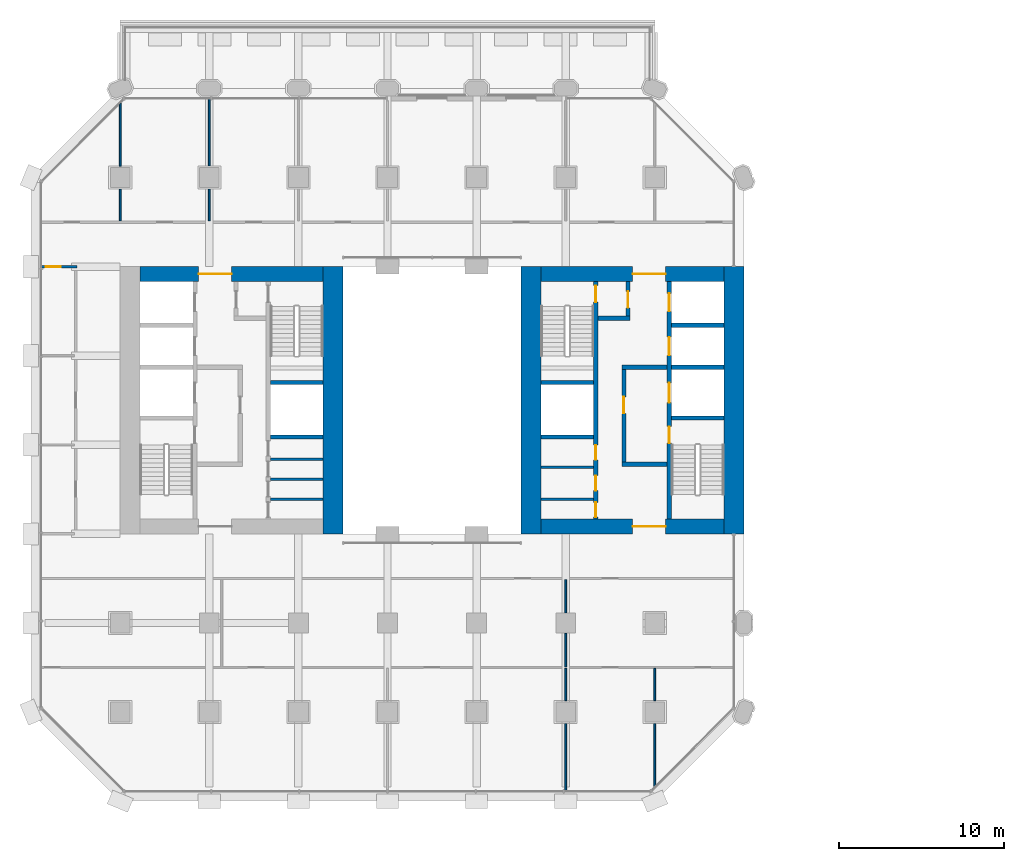
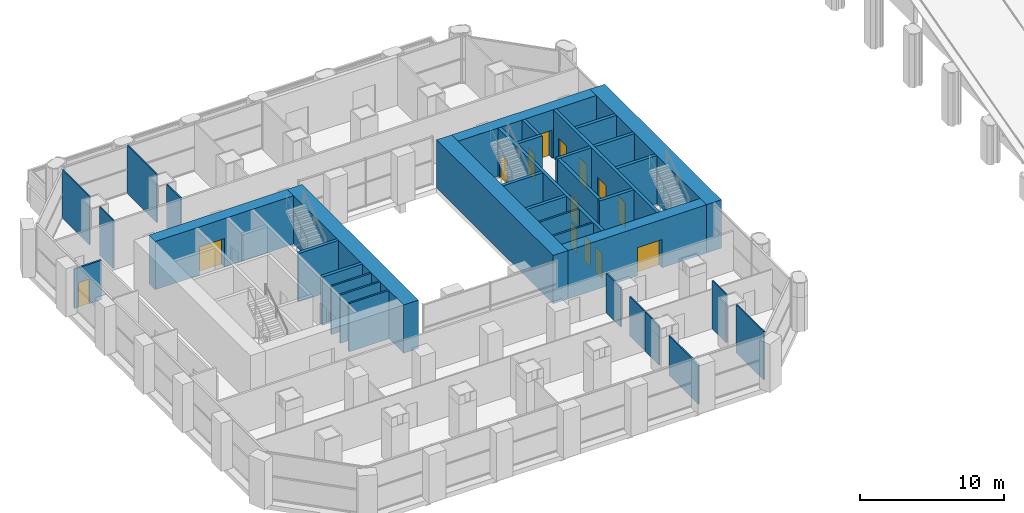
# One storey, part 14 of 23: 36 walls, 14 doors, 14 openings.
"""IFC4 building model written with IfcOpenShell, lengths in metres."""

import ifcopenshell
import ifcopenshell.guid

model = None  # the IFC model being written
_history = None  # IfcOwnerHistory: only IFC2X3 demands one
_inside = {}  # id of a spatial element -> (the spatial element, [elements in it])
_under = {}  # id of a project, library or spatial element -> (it, [spatial elements below it])
_declared = {}  # id of a project -> (the project, [libraries it declares])
_typed = {}  # id of a type object -> (the type object, [elements of that type])
_made_of = {}  # id of a material, layer set ... -> (it, [elements and type objects made of it])


def new_model(schema):
    """Start an empty IFC model of exactly this schema.

    Asked for "IFC4X3", IfcOpenShell would pick the latest addendum, in which some entities
    have other attributes; the version numbers below select the first issue.
    IFC2X3 requires an IfcOwnerHistory on every rooted entity: one is made here for all.
    """
    global model, _history
    if schema == "IFC4X3":
        model = ifcopenshell.file(schema_version=(4, 3, 0, 0))
    else:
        model = ifcopenshell.file(schema=schema)
    _inside.clear()
    _under.clear()
    _declared.clear()
    _typed.clear()
    _made_of.clear()
    _history = None
    if model.schema == "IFC2X3":
        org = make("IfcOrganization", Name="unknown")
        user = make(
            "IfcPersonAndOrganization",
            ThePerson=make("IfcPerson", FamilyName="unknown"),
            TheOrganization=org,
        )
        app = make(
            "IfcApplication",
            ApplicationDeveloper=org,
            Version="unknown",
            ApplicationFullName="unknown",
            ApplicationIdentifier="unknown",
        )
        _history = make(
            "IfcOwnerHistory",
            OwningUser=user,
            OwningApplication=app,
            ChangeAction="ADDED",
            CreationDate=0,
        )
    return model


def make(cls, **values):
    """One entity of the class cls with the attributes given. An attribute that is None is left unset."""
    return model.create_entity(
        cls, **{name: value for name, value in values.items() if value is not None}
    )


def rooted(cls, **values):
    """An entity with a GlobalId (a new one), such as an element, a storey or a relation."""
    return make(cls, GlobalId=ifcopenshell.guid.new(), OwnerHistory=_history, **values)


def si_unit(unit_type, name, prefix=None):
    """IfcSIUnit, for example si_unit("LENGTHUNIT", "METRE", prefix="MILLI")."""
    return make("IfcSIUnit", UnitType=unit_type, Prefix=prefix, Name=name)


def assignment(units):
    """IfcUnitAssignment: the units of a project."""
    return None if units is None else make("IfcUnitAssignment", Units=units)


def point(xyz):
    """IfcCartesianPoint."""
    return None if xyz is None else make("IfcCartesianPoint", Coordinates=xyz)


def direction(xyz):
    """IfcDirection."""
    return None if xyz is None else make("IfcDirection", DirectionRatios=xyz)


def frame(location, z_axis=None, x_axis=None):
    """IfcAxis2Placement3D, a coordinate frame: its origin and axes. An axis left out is left unset."""
    return make(
        "IfcAxis2Placement3D",
        Location=point(location),
        Axis=direction(z_axis),
        RefDirection=direction(x_axis),
    )


def frame_2d(location, x_axis=None):
    """IfcAxis2Placement2D, a coordinate frame in the plane: its origin and x axis."""
    return make(
        "IfcAxis2Placement2D", Location=point(location), RefDirection=direction(x_axis)
    )


def origin():
    """The frame at (0, 0, 0) with its axes left unset."""
    return frame((0.0, 0.0, 0.0))


def place(relative_to, where):
    """IfcLocalPlacement: puts the frame where relative to a parent placement (None: the world)."""
    return make(
        "IfcLocalPlacement", PlacementRelTo=relative_to, RelativePlacement=where
    )


def context(
    kind, dimensions, precision=None, world=None, true_north=None, identifier=None
):
    """IfcGeometricRepresentationContext, for example the 3D "Model" context."""
    return make(
        "IfcGeometricRepresentationContext",
        ContextIdentifier=identifier,
        ContextType=kind,
        CoordinateSpaceDimension=dimensions,
        Precision=precision,
        WorldCoordinateSystem=world,
        TrueNorth=true_north,
    )


def subcontext(parent, identifier, kind, view, scale=None):
    """IfcGeometricRepresentationSubContext, for example "Body" below "Model"."""
    return make(
        "IfcGeometricRepresentationSubContext",
        ContextIdentifier=identifier,
        ContextType=kind,
        ParentContext=parent,
        TargetScale=scale,
        TargetView=view,
    )


def project(units=None, contexts=None):
    """IfcProject with its units and contexts."""
    return rooted(
        "IfcProject",
        Name="project",
        RepresentationContexts=contexts,
        UnitsInContext=assignment(units),
    )


def spatial(cls, under=None, at=None, **own):
    """A site, building, storey or space (cls), placed at a placement, below another one or the project."""
    s = rooted(cls, ObjectPlacement=at, **own)
    if under is not None:
        _under.setdefault(under.id(), (under, []))[1].append(s)
    return s


def profile(cls, at=None, kind="AREA", **sizes):
    """A parametric profile (cls). Its sizes go by their IFC names, for example OverallWidth=200.0."""
    return make(cls, ProfileType=kind, Position=at, **sizes)


def rectangle(**sizes):
    """IfcRectangleProfileDef."""
    return profile("IfcRectangleProfileDef", **sizes)


def extrude(swept, where, along, depth):
    """IfcExtrudedAreaSolid: the profile swept, set in the frame where, extruded along a direction by depth."""
    return make(
        "IfcExtrudedAreaSolid",
        SweptArea=swept,
        Position=where,
        ExtrudedDirection=direction(along),
        Depth=depth,
    )


def shape(context_of_items, identifier, shape_type, items):
    """IfcShapeRepresentation: the items that make up one representation, for example the "Body"."""
    return make(
        "IfcShapeRepresentation",
        ContextOfItems=context_of_items,
        RepresentationIdentifier=identifier,
        RepresentationType=shape_type,
        Items=items,
    )


def material(Name=None, Category=None):
    """IfcMaterial."""
    return make("IfcMaterial", Name=Name, Category=Category)


def layer(
    of_material, thickness, ventilated=None, Name=None, Category=None, Priority=None
):
    """IfcMaterialLayer: one layer of a wall or slab, of a material (None: an air gap)."""
    return make(
        "IfcMaterialLayer",
        Material=of_material,
        LayerThickness=thickness,
        IsVentilated=ventilated,
        Name=Name,
        Category=Category,
        Priority=Priority,
    )


def layer_set(layers, Name=None):
    """IfcMaterialLayerSet."""
    return make("IfcMaterialLayerSet", MaterialLayers=layers, LayerSetName=Name)


def made_of(thing, what):
    """Note that an element or type object is made of a material, layer set ...; save() writes the relation."""
    if what is not None:
        _made_of.setdefault(what.id(), (what, []))[1].append(thing)
    return thing


def type_object(cls, material=None, **own):
    """A type object (cls), such as IfcWallType, which elements share."""
    return made_of(rooted(cls, **own), material)


def element(
    cls,
    number,
    at=None,
    inside=None,
    cuts=None,
    type_object=None,
    material=None,
    context=None,
    identifier="Body",
    shape_type=None,
    held_by="IfcProductDefinitionShape",
    body=None,
    shapes=None,
    **own,
):
    """One element of the class cls, such as IfcWall. Its Tag is "e" and its number.

    at: its placement. inside: the storey or other place that contains it. cuts: it is an
    opening in that element (IfcRelVoidsElement). A single representation is given by context,
    identifier, shape_type and body (its items); several are given by shapes. held_by: the class
    of the entity that holds the representations. save() writes the other relations.
    """
    e = rooted(cls, Tag="e%d" % number, ObjectPlacement=at, **own)
    if body is not None:
        shapes = [shape(context, identifier, shape_type, body)]
    if shapes is not None:
        e.Representation = make(held_by, Representations=shapes)
    if inside is not None:
        _inside.setdefault(inside.id(), (inside, []))[1].append(e)
    if cuts is not None:
        rooted(
            "IfcRelVoidsElement", RelatingBuildingElement=cuts, RelatedOpeningElement=e
        )
    if type_object is not None:
        _typed.setdefault(type_object.id(), (type_object, []))[1].append(e)
    return made_of(e, material)


def fill(opening, filler):
    """IfcRelFillsElement: the door or window that sits in an opening."""
    return rooted(
        "IfcRelFillsElement",
        RelatingOpeningElement=opening,
        RelatedBuildingElement=filler,
    )


def aggregate(whole, parts):
    """IfcRelAggregates: a whole, such as a stair, and the parts it consists of."""
    return rooted("IfcRelAggregates", RelatingObject=whole, RelatedObjects=parts)


def save(model, path):
    """Write the relations noted so far, then the file.

    IfcRelAggregates (storeys below a building ...), IfcRelContainedInSpatialStructure (elements
    in a storey), IfcRelDefinesByType, IfcRelAssociatesMaterial and IfcRelDeclares: one each for
    every whole, place, type object, material and project.
    """
    for whole, parts in _under.values():
        aggregate(whole, parts)
    for where, things in _inside.values():
        rooted(
            "IfcRelContainedInSpatialStructure",
            RelatedElements=things,
            RelatingStructure=where,
        )
    for kind, things in _typed.values():
        rooted("IfcRelDefinesByType", RelatedObjects=things, RelatingType=kind)
    for what, things in _made_of.values():
        rooted("IfcRelAssociatesMaterial", RelatedObjects=things, RelatingMaterial=what)
    for by, libraries in _declared.values():
        rooted("IfcRelDeclares", RelatingContext=by, RelatedDefinitions=libraries)
    model.write(path)


model = new_model("IFC4")

# Units and contexts
model_context = context("Model", 3, precision=1e-05, world=origin(), true_north=direction((0.0, 1.0)))
body_context = subcontext(model_context, "Body", "Model", "MODEL_VIEW")
ifc_project = project(units=[si_unit("LENGTHUNIT", "METRE"), si_unit("AREAUNIT", "SQUARE_METRE"), si_unit("VOLUMEUNIT", "CUBIC_METRE"), si_unit("PLANEANGLEUNIT", "RADIAN"), si_unit("MASSUNIT", "GRAM", prefix="KILO")], contexts=[model_context])

# Site, building, storey
site_placement = place(None, origin())
site = spatial("IfcSite", under=ifc_project, at=site_placement, CompositionType="ELEMENT")
building_placement = place(site_placement, origin())
building = spatial("IfcBuilding", under=site, at=building_placement, Name="Tabaq Tower and Sports Hall", CompositionType="ELEMENT")
storey_placement = place(building_placement, frame((0.0, 0.0, 24.60009765625)))
storey = spatial("IfcBuildingStorey", under=building, at=storey_placement, Name="L04", CompositionType="ELEMENT", Elevation=24.60009765625)

# Walls
ifc_material_1 = material(Name="Blockwork", Category="masonry")
ifc_layer_1 = layer(ifc_material_1, 0.14990234375)
ifc_layer_set_1 = layer_set([ifc_layer_1], Name="Core room partition 150 Blockwork")
wall_type_1 = type_object("IfcWallType", Name="Core room partition 150 Blockwork", PredefinedType="PARTITIONING", material=ifc_layer_set_1)
for number, where, z_axis, x_axis, name in (
    (1, (14.5, 18.31201171875, 0.0), (0.0, 0.0, 1.0), (1.0, 0.0, 0.0), "Core room partition W L04"),
    (2, (14.5, 19.52490234375, 0.0), (0.0, 0.0, 1.0), (1.0, 0.0, 0.0), "Core room partition W L04"),
    (3, (14.5, 20.737060546875, 0.0), (0.0, 0.0, 1.0), (1.0, 0.0, 0.0), "Core room partition W L04"),
):
    element("IfcWall", number, at=place(storey_placement, frame(where, z_axis=z_axis, x_axis=x_axis)), inside=storey, type_object=wall_type_1, Name=name, PredefinedType="PARTITIONING", context=body_context, shape_type="SweptSolid", body=[
        extrude(rectangle(XDim=3.199951171875, YDim=0.14990234375, at=frame_2d((1.60009765625, 0.0))), origin(), (0.0, 0.0, 1.0), 4.099853515625),
    ])
for number, where, z_axis, x_axis, name in (
    (4, (30.89990234375, 18.31201171875, 0.0), (0.0, 0.0, 1.0), (1.0, 0.0, 0.0), "Core room partition E L04"),
    (5, (30.89990234375, 20.251953125, 0.0), (0.0, 0.0, 1.0), (1.0, 0.0, 0.0), "Core room partition E L04"),
):
    element("IfcWall", number, at=place(storey_placement, frame(where, z_axis=z_axis, x_axis=x_axis)), inside=storey, type_object=wall_type_1, Name=name, PredefinedType="PARTITIONING", context=body_context, shape_type="SweptSolid", body=[
        extrude(rectangle(XDim=3.2001953125, YDim=0.14990234375, at=frame_2d((1.60009765625, 0.0))), origin(), (0.0, 0.0, 1.0), 4.099853515625),
    ])
ifc_material_2 = material(Name="Concrete C60/75", Category="concrete")
ifc_layer_2 = layer(ifc_material_2, 1.199951171875)
ifc_layer_set_2 = layer_set([ifc_layer_2], Name="Core wall 1200 Concrete C60/75")
wall_type_2 = type_object("IfcWallType", Name="Core wall 1200 Concrete C60/75", PredefinedType="SOLIDWALL", material=ifc_layer_set_2)
for number, where, z_axis, x_axis, name in (
    (6, (18.300048828125, 32.39990234375, 0.0), (0.0, 0.0, 1.0), (0.0, -1.0, 0.0), "Core wall W L04"),
    (7, (42.60009765625, 32.39990234375, 0.0), (0.0, 0.0, 1.0), (0.0, -1.0, 0.0), "Core wall E L04"),
    (8, (30.300048828125, 16.199951171875, 0.0), (0.0, 0.0, 1.0), (0.0, 1.0, 0.0), "Core wall E L04"),
):
    element("IfcWall", number, at=place(storey_placement, frame(where, z_axis=z_axis, x_axis=x_axis)), inside=storey, type_object=wall_type_2, Name=name, PredefinedType="SOLIDWALL", context=body_context, shape_type="SweptSolid", body=[
        extrude(rectangle(XDim=16.199951171875, YDim=1.199951171875, at=frame_2d((8.10009765625, 0.0))), origin(), (0.0, 0.0, 1.0), 4.099853515625),
    ])

# Wall, opening, door
ifc_material_3 = material(Name="Concrete C60/75", Category="concrete")
ifc_layer_3 = layer(ifc_material_3, 0.89990234375)
ifc_layer_set_3 = layer_set([ifc_layer_3], Name="Core wall 900 Concrete C60/75")
wall_type_3 = type_object("IfcWallType", Name="Core wall 900 Concrete C60/75", PredefinedType="SOLIDWALL", material=ifc_layer_set_3)
wall_1_placement = place(storey_placement, frame((6.60009765625, 31.949951171875, 0.0), z_axis=(0.0, 0.0, 1.0), x_axis=(1.0, 0.0, 0.0)))
wall_1 = element("IfcWall", 9, at=wall_1_placement, inside=storey, type_object=wall_type_3, Name="Core wall W L04", PredefinedType="SOLIDWALL", context=body_context, shape_type="SweptSolid", body=[
    extrude(rectangle(XDim=11.099853515625, YDim=0.89990234375, at=frame_2d((5.5498046875, 0.0))), origin(), (0.0, 0.0, 1.0), 4.099853515625),
])
opening_1_placement = place(wall_1_placement, frame((3.550048828125, 0.0, 0.0)))
opening_1 = element("IfcOpeningElement", 10, at=opening_1_placement, cuts=wall_1, Name="Opening PD-WL04-02", PredefinedType="OPENING", context=body_context, shape_type="SweptSolid", body=[
    extrude(rectangle(XDim=2.0, YDim=2.39990234375, at=frame_2d((1.0, 1.199951171875))), frame((0.0, 0.449951171875, 0.0), z_axis=(0.0, -1.0, 0.0), x_axis=(1.0, 0.0, 0.0)), (0.0, 0.0, 1.0), 0.89990234375),
])
ifc_material_4 = material(Name="Steel fire door", Category="steel")
door_type_1 = type_object("IfcDoorType", Name="Core entrance door 2000", OperationType="DOUBLE_DOOR_SINGLE_SWING", PredefinedType="DOOR", material=ifc_material_4)
door_1_placement = place(opening_1_placement, origin())
door_1 = element("IfcDoor", 11, at=door_1_placement, inside=storey, type_object=door_type_1, Name="Core entrance north W L04", OperationType="DOUBLE_DOOR_SINGLE_SWING", OverallHeight=2.39990234375, OverallWidth=2.0, PredefinedType="DOOR", context=body_context, shape_type="SweptSolid", body=[
    extrude(rectangle(XDim=2.0, YDim=2.39990234375, at=frame_2d((1.0, 1.199951171875))), frame((0.0, 0.02490234375, 0.0), z_axis=(0.0, -1.0, 0.0), x_axis=(1.0, 0.0, 0.0)), (0.0, 0.0, 1.0), 0.050048828125),
])
fill(opening_1, door_1)

wall_2_placement = place(storey_placement, frame((42.0, 16.64990234375, 0.0), z_axis=(0.0, 0.0, 1.0), x_axis=(-1.0, 0.0, 0.0)))
wall_2 = element("IfcWall", 12, at=wall_2_placement, inside=storey, type_object=wall_type_3, Name="Core wall E L04", PredefinedType="SOLIDWALL", context=body_context, shape_type="SweptSolid", body=[
    extrude(rectangle(XDim=11.10009765625, YDim=0.89990234375, at=frame_2d((5.550048828125, 0.0))), origin(), (0.0, 0.0, 1.0), 4.099853515625),
])
opening_2_placement = place(wall_2_placement, frame((3.550048828125, 0.0, 0.0)))
opening_2 = element("IfcOpeningElement", 13, at=opening_2_placement, cuts=wall_2, Name="Opening PD-EL04-01", PredefinedType="OPENING", context=body_context, shape_type="SweptSolid", body=[
    extrude(rectangle(XDim=2.0, YDim=2.39990234375, at=frame_2d((1.0, 1.199951171875))), frame((0.0, 0.449951171875, 0.0), z_axis=(0.0, -1.0, 0.0), x_axis=(1.0, 0.0, 0.0)), (0.0, 0.0, 1.0), 0.89990234375),
])
door_2_placement = place(opening_2_placement, origin())
door_2 = element("IfcDoor", 14, at=door_2_placement, inside=storey, type_object=door_type_1, Name="Core entrance south E L04", OperationType="DOUBLE_DOOR_SINGLE_SWING", OverallHeight=2.39990234375, OverallWidth=2.0, PredefinedType="DOOR", context=body_context, shape_type="SweptSolid", body=[
    extrude(rectangle(XDim=2.0, YDim=2.39990234375, at=frame_2d((1.0, 1.199951171875))), frame((0.0, 0.02490234375, 0.0), z_axis=(0.0, -1.0, 0.0), x_axis=(1.0, 0.0, 0.0)), (0.0, 0.0, 1.0), 0.050048828125),
])
fill(opening_2, door_2)

wall_3_placement = place(storey_placement, frame((30.89990234375, 31.949951171875, 0.0), z_axis=(0.0, 0.0, 1.0), x_axis=(1.0, 0.0, 0.0)))
wall_3 = element("IfcWall", 15, at=wall_3_placement, inside=storey, type_object=wall_type_3, Name="Core wall E L04", PredefinedType="SOLIDWALL", context=body_context, shape_type="SweptSolid", body=[
    extrude(rectangle(XDim=11.10009765625, YDim=0.89990234375, at=frame_2d((5.550048828125, 0.0))), origin(), (0.0, 0.0, 1.0), 4.099853515625),
])
opening_3_placement = place(wall_3_placement, frame((5.550048828125, 0.0, 0.0)))
opening_3 = element("IfcOpeningElement", 16, at=opening_3_placement, cuts=wall_3, Name="Opening PD-EL04-02", PredefinedType="OPENING", context=body_context, shape_type="SweptSolid", body=[
    extrude(rectangle(XDim=2.0, YDim=2.39990234375, at=frame_2d((1.0, 1.199951171875))), frame((0.0, 0.449951171875, 0.0), z_axis=(0.0, -1.0, 0.0), x_axis=(1.0, 0.0, 0.0)), (0.0, 0.0, 1.0), 0.89990234375),
])
door_3_placement = place(opening_3_placement, origin())
door_3 = element("IfcDoor", 17, at=door_3_placement, inside=storey, type_object=door_type_1, Name="Core entrance north E L04", OperationType="DOUBLE_DOOR_SINGLE_SWING", OverallHeight=2.39990234375, OverallWidth=2.0, PredefinedType="DOOR", context=body_context, shape_type="SweptSolid", body=[
    extrude(rectangle(XDim=2.0, YDim=2.39990234375, at=frame_2d((1.0, 1.199951171875))), frame((0.0, 0.02490234375, 0.0), z_axis=(0.0, -1.0, 0.0), x_axis=(1.0, 0.0, 0.0)), (0.0, 0.0, 1.0), 0.050048828125),
])
fill(opening_3, door_3)

# Walls
ifc_material_5 = material(Name="Gypsum board on steel studs", Category="steel")
ifc_layer_4 = layer(ifc_material_5, 0.10009765625)
ifc_layer_set_4 = layer_set([ifc_layer_4], Name="Partition 100 Gypsum board")
wall_type_4 = type_object("IfcWallType", Name="Partition 100 Gypsum board", PredefinedType="PARTITIONING", material=ifc_layer_set_4)
wall_4_placement = place(storey_placement, frame((5.39990234375, 35.175048828125, 0.0), z_axis=(0.0, 0.0, 1.0), x_axis=(0.0, 1.0, 0.0)))
element("IfcWall", 18, at=wall_4_placement, inside=storey, type_object=wall_type_4, Name="Partition wall L04", PredefinedType="PARTITIONING", context=body_context, shape_type="SweptSolid", body=[
    extrude(rectangle(XDim=1.92431640625, YDim=0.10009765625, at=frame_2d((0.962158203125, 0.0))), origin(), (0.0, 0.0, 1.0), 4.099853515625),
])
wall_5_placement = place(storey_placement, frame((5.39990234375, 38.500732421875, 0.0), z_axis=(0.0, 0.0, 1.0), x_axis=(0.0, 1.0, 0.0)))
element("IfcWall", 19, at=wall_5_placement, inside=storey, type_object=wall_type_4, Name="Partition wall L04", PredefinedType="PARTITIONING", context=body_context, shape_type="SweptSolid", body=[
    extrude(rectangle(XDim=3.80078125, YDim=0.10009765625, at=frame_2d((1.900390625, 0.0))), origin(), (0.0, 0.0, 1.0), 4.099853515625),
])
wall_6_placement = place(storey_placement, frame((10.800048828125, 35.175048828125, 0.0), z_axis=(0.0, 0.0, 1.0), x_axis=(0.0, 1.0, 0.0)))
element("IfcWall", 20, at=wall_6_placement, inside=storey, type_object=wall_type_4, Name="Partition wall L04", PredefinedType="PARTITIONING", context=body_context, shape_type="SweptSolid", body=[
    extrude(rectangle(XDim=1.92431640625, YDim=0.10009765625, at=frame_2d((0.962158203125, 0.0))), origin(), (0.0, 0.0, 1.0), 4.099853515625),
])
wall_7_placement = place(storey_placement, frame((10.800048828125, 38.500732421875, 0.0), z_axis=(0.0, 0.0, 1.0), x_axis=(0.0, 1.0, 0.0)))
element("IfcWall", 21, at=wall_7_placement, inside=storey, type_object=wall_type_4, Name="Partition wall L04", PredefinedType="PARTITIONING", context=body_context, shape_type="SweptSolid", body=[
    extrude(rectangle(XDim=4.099365234375, YDim=0.10009765625, at=frame_2d((2.0498046875, 0.0))), origin(), (0.0, 0.0, 1.0), 4.099853515625),
])
wall_8_placement = place(storey_placement, frame((32.39990234375, 8.14990234375, 0.0), z_axis=(0.0, 0.0, 1.0), x_axis=(0.0, 1.0, 0.0)))
element("IfcWall", 22, at=wall_8_placement, inside=storey, type_object=wall_type_4, Name="Partition wall L04", PredefinedType="PARTITIONING", context=body_context, shape_type="SweptSolid", body=[
    extrude(rectangle(XDim=2.030029296875, YDim=0.10009765625, at=frame_2d((1.01513671875, 0.0))), origin(), (0.0, 0.0, 1.0), 3.349853515625),
])
wall_9_placement = place(storey_placement, frame((32.39990234375, 11.419921875, 0.0), z_axis=(0.0, 0.0, 1.0), x_axis=(0.0, 1.0, 0.0)))
element("IfcWall", 23, at=wall_9_placement, inside=storey, type_object=wall_type_4, Name="Partition wall L04", PredefinedType="PARTITIONING", context=body_context, shape_type="SweptSolid", body=[
    extrude(rectangle(XDim=2.005126953125, YDim=0.10009765625, at=frame_2d((1.00244140625, 0.0))), origin(), (0.0, 0.0, 1.0), 3.349853515625),
])
wall_10_placement = place(storey_placement, frame((32.39990234375, 0.60009765625, 0.0), z_axis=(0.0, 0.0, 1.0), x_axis=(0.0, 1.0, 0.0)))
element("IfcWall", 24, at=wall_10_placement, inside=storey, type_object=wall_type_4, Name="Partition wall L04", PredefinedType="PARTITIONING", context=body_context, shape_type="SweptSolid", body=[
    extrude(rectangle(XDim=4.09912109375, YDim=0.10009765625, at=frame_2d((2.049560546875, 0.0))), origin(), (0.0, 0.0, 1.0), 3.349853515625),
])
wall_11_placement = place(storey_placement, frame((32.39990234375, 6.1005859375, 0.0), z_axis=(0.0, 0.0, 1.0), x_axis=(0.0, 1.0, 0.0)))
element("IfcWall", 25, at=wall_11_placement, inside=storey, type_object=wall_type_4, Name="Partition wall L04", PredefinedType="PARTITIONING", context=body_context, shape_type="SweptSolid", body=[
    extrude(rectangle(XDim=1.949462890625, YDim=0.10009765625, at=frame_2d((0.974609375, 0.0))), origin(), (0.0, 0.0, 1.0), 3.349853515625),
])
wall_12_placement = place(storey_placement, frame((37.800048828125, 0.8984375, 0.0), z_axis=(0.0, 0.0, 1.0), x_axis=(0.0, 1.0, 0.0)))
element("IfcWall", 26, at=wall_12_placement, inside=storey, type_object=wall_type_4, Name="Partition wall L04", PredefinedType="PARTITIONING", context=body_context, shape_type="SweptSolid", body=[
    extrude(rectangle(XDim=3.80078125, YDim=0.10009765625, at=frame_2d((1.900390625, 0.0))), origin(), (0.0, 0.0, 1.0), 4.099853515625),
])
wall_13_placement = place(storey_placement, frame((37.800048828125, 6.1005859375, 0.0), z_axis=(0.0, 0.0, 1.0), x_axis=(0.0, 1.0, 0.0)))
element("IfcWall", 27, at=wall_13_placement, inside=storey, type_object=wall_type_4, Name="Partition wall L04", PredefinedType="PARTITIONING", context=body_context, shape_type="SweptSolid", body=[
    extrude(rectangle(XDim=1.949462890625, YDim=0.10009765625, at=frame_2d((0.974609375, 0.0))), origin(), (0.0, 0.0, 1.0), 4.099853515625),
])

# Wall, opening, door
ifc_material_6 = material(Name="Blockwork", Category="masonry")
ifc_layer_5 = layer(ifc_material_6, 0.14990234375)
ifc_layer_set_5 = layer_set([ifc_layer_5], Name="Separating wall 150 Blockwork")
wall_type_5 = type_object("IfcWallType", Name="Separating wall 150 Blockwork", PredefinedType="PARTITIONING", material=ifc_layer_set_5)
wall_14_placement = place(storey_placement, frame((0.60009765625, 32.39990234375, 0.0), z_axis=(0.0, 0.0, 1.0), x_axis=(1.0, 0.0, 0.0)))
wall_14 = element("IfcWall", 28, at=wall_14_placement, inside=storey, type_object=wall_type_5, Name="Separating wall L04", PredefinedType="PARTITIONING", context=body_context, shape_type="SweptSolid", body=[
    extrude(rectangle(XDim=2.1748046875, YDim=0.14990234375, at=frame_2d((1.08740234375, 0.0))), origin(), (0.0, 0.0, 1.0), 3.349853515625),
])
opening_4_placement = place(wall_14_placement, frame((0.300048828125, 0.0, 0.0)))
opening_4 = element("IfcOpeningElement", 29, at=opening_4_placement, cuts=wall_14, Name="Opening L04-010", PredefinedType="OPENING", context=body_context, shape_type="SweptSolid", body=[
    extrude(rectangle(XDim=0.89990234375, YDim=2.10009765625, at=frame_2d((0.449951171875, 1.050048828125))), frame((0.0, 0.074951171875, 0.0), z_axis=(0.0, -1.0, 0.0), x_axis=(1.0, 0.0, 0.0)), (0.0, 0.0, 1.0), 0.14990234375),
])
ifc_material_7 = material(Name="Timber leaf in steel frame", Category="steel")
door_type_2 = type_object("IfcDoorType", Name="Internal door 900 right hand", OperationType="SINGLE_SWING_RIGHT", PredefinedType="DOOR", material=ifc_material_7)
door_4_placement = place(opening_4_placement, origin())
door_4 = element("IfcDoor", 30, at=door_4_placement, inside=storey, type_object=door_type_2, Name="Internal door L04-010", OperationType="SINGLE_SWING_RIGHT", OverallHeight=2.10009765625, OverallWidth=0.89990234375, PredefinedType="DOOR", context=body_context, shape_type="SweptSolid", body=[
    extrude(rectangle(XDim=0.89990234375, YDim=2.10009765625, at=frame_2d((0.449951171875, 1.050048828125))), frame((0.0, 0.02490234375, 0.0), z_axis=(0.0, -1.0, 0.0), x_axis=(1.0, 0.0, 0.0)), (0.0, 0.0, 1.0), 0.050048828125),
])
fill(opening_4, door_4)

# Walls
ifc_material_8 = material(Name="Concrete C40/50", Category="concrete")
ifc_layer_6 = layer(ifc_material_8, 0.25)
ifc_layer_set_6 = layer_set([ifc_layer_6], Name="Shaft and stair wall 250 Concrete C40/50")
wall_type_6 = type_object("IfcWallType", Name="Shaft and stair wall 250 Concrete C40/50", PredefinedType="SOLIDWALL", material=ifc_layer_set_6)
for number, where, z_axis, x_axis, name in (
    (31, (14.5, 25.375, 0.0), (0.0, 0.0, 1.0), (1.0, 0.0, 0.0), "Stair enclosure wall W L04"),
    (32, (14.5, 22.074951171875, 0.0), (0.0, 0.0, 1.0), (1.0, 0.0, 0.0), "Shaft wall W L04"),
):
    element("IfcWall", number, at=place(storey_placement, frame(where, z_axis=z_axis, x_axis=x_axis)), inside=storey, type_object=wall_type_6, Name=name, PredefinedType="SOLIDWALL", context=body_context, shape_type="SweptSolid", body=[
        extrude(rectangle(XDim=3.199951171875, YDim=0.25, at=frame_2d((1.60009765625, 0.0))), origin(), (0.0, 0.0, 1.0), 4.099853515625),
    ])

# Wall, openings, doors
wall_15_placement = place(storey_placement, frame((38.675048828125, 17.10009765625, 0.0), z_axis=(0.0, 0.0, 1.0), x_axis=(0.0, 1.0, 0.0)))
wall_15 = element("IfcWall", 33, at=wall_15_placement, inside=storey, type_object=wall_type_6, Name="Shaft wall E L04", PredefinedType="SOLIDWALL", context=body_context, shape_type="SweptSolid", body=[
    extrude(rectangle(XDim=14.39990234375, YDim=0.25, at=frame_2d((7.199951171875, 0.0))), origin(), (0.0, 0.0, 1.0), 4.099853515625),
])
opening_5_placement = place(wall_15_placement, frame((4.60009765625, 0.0, 0.0)))
opening_5 = element("IfcOpeningElement", 34, at=opening_5_placement, cuts=wall_15, Name="Opening SD-EL04-03", PredefinedType="OPENING", context=body_context, shape_type="SweptSolid", body=[
    extrude(rectangle(XDim=1.0, YDim=2.10009765625, at=frame_2d((0.5, 1.050048828125))), frame((0.0, 0.125, 0.0), z_axis=(0.0, -1.0, 0.0), x_axis=(1.0, 0.0, 0.0)), (0.0, 0.0, 1.0), 0.25),
])
opening_6_placement = place(wall_15_placement, frame((7.0625, 0.0, 0.0)))
opening_6 = element("IfcOpeningElement", 35, at=opening_6_placement, cuts=wall_15, Name="Opening LD-FF2-L04", PredefinedType="OPENING", context=body_context, shape_type="SweptSolid", body=[
    extrude(rectangle(XDim=1.199951171875, YDim=2.10009765625, at=frame_2d((0.60009765625, 1.050048828125))), frame((0.0, 0.125, 0.0), z_axis=(0.0, -1.0, 0.0), x_axis=(1.0, 0.0, 0.0)), (0.0, 0.0, 1.0), 0.25),
])
opening_7_placement = place(wall_15_placement, frame((9.925048828125, 0.0, 0.0)))
opening_7 = element("IfcOpeningElement", 36, at=opening_7_placement, cuts=wall_15, Name="Opening LD-LR3-L04", PredefinedType="OPENING", context=body_context, shape_type="SweptSolid", body=[
    extrude(rectangle(XDim=1.10009765625, YDim=2.10009765625, at=frame_2d((0.550048828125, 1.050048828125))), frame((0.0, 0.125, 0.0), z_axis=(0.0, -1.0, 0.0), x_axis=(1.0, 0.0, 0.0)), (0.0, 0.0, 1.0), 0.25),
])
opening_8_placement = place(wall_15_placement, frame((12.58740234375, 0.0, 0.0)))
opening_8 = element("IfcOpeningElement", 37, at=opening_8_placement, cuts=wall_15, Name="Opening LD-LR4-L04", PredefinedType="OPENING", context=body_context, shape_type="SweptSolid", body=[
    extrude(rectangle(XDim=1.10009765625, YDim=2.10009765625, at=frame_2d((0.550048828125, 1.050048828125))), frame((0.0, 0.125, 0.0), z_axis=(0.0, -1.0, 0.0), x_axis=(1.0, 0.0, 0.0)), (0.0, 0.0, 1.0), 0.25),
])
ifc_material_9 = material(Name="Stainless steel", Category="steel")
door_type_3 = type_object("IfcDoorType", Name="Lift landing door 1100", OperationType="DOUBLE_DOOR_SLIDING", PredefinedType="DOOR", material=ifc_material_9)
door_5_placement = place(opening_7_placement, origin())
door_5 = element("IfcDoor", 38, at=door_5_placement, inside=storey, type_object=door_type_3, Name="Lift landing door LR3 E L04", OperationType="DOUBLE_DOOR_SLIDING", OverallHeight=2.10009765625, OverallWidth=1.10009765625, PredefinedType="DOOR", context=body_context, shape_type="SweptSolid", body=[
    extrude(rectangle(XDim=1.10009765625, YDim=2.10009765625, at=frame_2d((0.550048828125, 1.050048828125))), frame((0.0, 0.02490234375, 0.0), z_axis=(0.0, -1.0, 0.0), x_axis=(1.0, 0.0, 0.0)), (0.0, 0.0, 1.0), 0.050048828125),
])
fill(opening_7, door_5)
door_6_placement = place(opening_8_placement, origin())
door_6 = element("IfcDoor", 39, at=door_6_placement, inside=storey, type_object=door_type_3, Name="Lift landing door LR4 E L04", OperationType="DOUBLE_DOOR_SLIDING", OverallHeight=2.10009765625, OverallWidth=1.10009765625, PredefinedType="DOOR", context=body_context, shape_type="SweptSolid", body=[
    extrude(rectangle(XDim=1.10009765625, YDim=2.10009765625, at=frame_2d((0.550048828125, 1.050048828125))), frame((0.0, 0.02490234375, 0.0), z_axis=(0.0, -1.0, 0.0), x_axis=(1.0, 0.0, 0.0)), (0.0, 0.0, 1.0), 0.050048828125),
])
fill(opening_8, door_6)
ifc_material_10 = material(Name="Stainless steel", Category="steel")
door_type_4 = type_object("IfcDoorType", Name="Lift landing door 1200", OperationType="DOUBLE_DOOR_SLIDING", PredefinedType="DOOR", material=ifc_material_10)
door_7_placement = place(opening_6_placement, origin())
door_7 = element("IfcDoor", 40, at=door_7_placement, inside=storey, type_object=door_type_4, Name="Lift landing door FF2 E L04", OperationType="DOUBLE_DOOR_SLIDING", OverallHeight=2.10009765625, OverallWidth=1.199951171875, PredefinedType="DOOR", context=body_context, shape_type="SweptSolid", body=[
    extrude(rectangle(XDim=1.199951171875, YDim=2.10009765625, at=frame_2d((0.60009765625, 1.050048828125))), frame((0.0, 0.02490234375, 0.0), z_axis=(0.0, -1.0, 0.0), x_axis=(1.0, 0.0, 0.0)), (0.0, 0.0, 1.0), 0.050048828125),
])
fill(opening_6, door_7)
ifc_material_11 = material(Name="Steel fire door", Category="steel")
door_type_5 = type_object("IfcDoorType", Name="Stair door 1000", OperationType="SINGLE_SWING_LEFT", PredefinedType="DOOR", material=ifc_material_11)
door_8_placement = place(opening_5_placement, origin())
door_8 = element("IfcDoor", 41, at=door_8_placement, inside=storey, type_object=door_type_5, Name="Stair door ST3 E L04", OperationType="SINGLE_SWING_LEFT", OverallHeight=2.10009765625, OverallWidth=1.0, PredefinedType="DOOR", context=body_context, shape_type="SweptSolid", body=[
    extrude(rectangle(XDim=1.0, YDim=2.10009765625, at=frame_2d((0.5, 1.050048828125))), frame((0.0, 0.02490234375, 0.0), z_axis=(0.0, -1.0, 0.0), x_axis=(1.0, 0.0, 0.0)), (0.0, 0.0, 1.0), 0.050048828125),
])
fill(opening_5, door_8)

wall_16_placement = place(storey_placement, frame((34.22509765625, 17.10009765625, 0.0), z_axis=(0.0, 0.0, 1.0), x_axis=(0.0, 1.0, 0.0)))
wall_16 = element("IfcWall", 42, at=wall_16_placement, inside=storey, type_object=wall_type_6, Name="Shaft wall E L04", PredefinedType="SOLIDWALL", context=body_context, shape_type="SweptSolid", body=[
    extrude(rectangle(XDim=14.39990234375, YDim=0.25, at=frame_2d((7.199951171875, 0.0))), origin(), (0.0, 0.0, 1.0), 4.099853515625),
])
opening_9_placement = place(wall_16_placement, frame((13.14990234375, 0.0, 0.0)))
opening_9 = element("IfcOpeningElement", 43, at=opening_9_placement, cuts=wall_16, Name="Opening SD-EL04-05", PredefinedType="OPENING", context=body_context, shape_type="SweptSolid", body=[
    extrude(rectangle(XDim=1.0, YDim=2.10009765625, at=frame_2d((0.5, 1.050048828125))), frame((0.0, 0.125, 0.0), z_axis=(0.0, -1.0, 0.0), x_axis=(1.0, 0.0, 0.0)), (0.0, 0.0, 1.0), 0.25),
])
opening_10_placement = place(wall_16_placement, frame((0.118408203125, 0.0, 0.0)))
opening_10 = element("IfcOpeningElement", 44, at=opening_10_placement, cuts=wall_16, Name="Opening RD-EL04-10", PredefinedType="OPENING", context=body_context, shape_type="SweptSolid", body=[
    extrude(rectangle(XDim=0.89990234375, YDim=2.10009765625, at=frame_2d((0.449951171875, 1.050048828125))), frame((0.0, 0.125, 0.0), z_axis=(0.0, -1.0, 0.0), x_axis=(1.0, 0.0, 0.0)), (0.0, 0.0, 1.0), 0.25),
])
opening_11_placement = place(wall_16_placement, frame((1.73193359375, 0.0, 0.0)))
opening_11 = element("IfcOpeningElement", 45, at=opening_11_placement, cuts=wall_16, Name="Opening RD-EL04-11", PredefinedType="OPENING", context=body_context, shape_type="SweptSolid", body=[
    extrude(rectangle(XDim=0.89990234375, YDim=2.10009765625, at=frame_2d((0.449951171875, 1.050048828125))), frame((0.0, 0.125, 0.0), z_axis=(0.0, -1.0, 0.0), x_axis=(1.0, 0.0, 0.0)), (0.0, 0.0, 1.0), 0.25),
])
opening_12_placement = place(wall_16_placement, frame((3.58837890625, 0.0, 0.0)))
opening_12 = element("IfcOpeningElement", 46, at=opening_12_placement, cuts=wall_16, Name="Opening RD-EL04-12", PredefinedType="OPENING", context=body_context, shape_type="SweptSolid", body=[
    extrude(rectangle(XDim=0.89990234375, YDim=2.10009765625, at=frame_2d((0.449951171875, 1.050048828125))), frame((0.0, 0.125, 0.0), z_axis=(0.0, -1.0, 0.0), x_axis=(1.0, 0.0, 0.0)), (0.0, 0.0, 1.0), 0.25),
])
ifc_material_12 = material(Name="Steel fire door", Category="steel")
door_type_6 = type_object("IfcDoorType", Name="Core room door 900", OperationType="SINGLE_SWING_LEFT", PredefinedType="DOOR", material=ifc_material_12)
door_9_placement = place(opening_10_placement, origin())
door_9 = element("IfcDoor", 47, at=door_9_placement, inside=storey, type_object=door_type_6, Name="Door Electrical Riser Room E L04", OperationType="SINGLE_SWING_LEFT", OverallHeight=2.10009765625, OverallWidth=0.89990234375, PredefinedType="DOOR", context=body_context, shape_type="SweptSolid", body=[
    extrude(rectangle(XDim=0.89990234375, YDim=2.10009765625, at=frame_2d((0.449951171875, 1.050048828125))), frame((0.0, 0.02490234375, 0.0), z_axis=(0.0, -1.0, 0.0), x_axis=(1.0, 0.0, 0.0)), (0.0, 0.0, 1.0), 0.050048828125),
])
fill(opening_10, door_9)
door_10_placement = place(opening_11_placement, origin())
door_10 = element("IfcDoor", 48, at=door_10_placement, inside=storey, type_object=door_type_6, Name="Door Unisex WC E L04", OperationType="SINGLE_SWING_LEFT", OverallHeight=2.10009765625, OverallWidth=0.89990234375, PredefinedType="DOOR", context=body_context, shape_type="SweptSolid", body=[
    extrude(rectangle(XDim=0.89990234375, YDim=2.10009765625, at=frame_2d((0.449951171875, 1.050048828125))), frame((0.0, 0.02490234375, 0.0), z_axis=(0.0, -1.0, 0.0), x_axis=(1.0, 0.0, 0.0)), (0.0, 0.0, 1.0), 0.050048828125),
])
fill(opening_11, door_10)
door_11_placement = place(opening_12_placement, origin())
door_11 = element("IfcDoor", 49, at=door_11_placement, inside=storey, type_object=door_type_6, Name="Door Accessible WC E L04", OperationType="SINGLE_SWING_LEFT", OverallHeight=2.10009765625, OverallWidth=0.89990234375, PredefinedType="DOOR", context=body_context, shape_type="SweptSolid", body=[
    extrude(rectangle(XDim=0.89990234375, YDim=2.10009765625, at=frame_2d((0.449951171875, 1.050048828125))), frame((0.0, 0.02490234375, 0.0), z_axis=(0.0, -1.0, 0.0), x_axis=(1.0, 0.0, 0.0)), (0.0, 0.0, 1.0), 0.050048828125),
])
fill(opening_12, door_11)
door_12_placement = place(opening_9_placement, origin())
door_12 = element("IfcDoor", 50, at=door_12_placement, inside=storey, type_object=door_type_5, Name="Stair door ST4 E L04", OperationType="SINGLE_SWING_LEFT", OverallHeight=2.10009765625, OverallWidth=1.0, PredefinedType="DOOR", context=body_context, shape_type="SweptSolid", body=[
    extrude(rectangle(XDim=1.0, YDim=2.10009765625, at=frame_2d((0.5, 1.050048828125))), frame((0.0, 0.02490234375, 0.0), z_axis=(0.0, -1.0, 0.0), x_axis=(1.0, 0.0, 0.0)), (0.0, 0.0, 1.0), 0.050048828125),
])
fill(opening_9, door_12)

# Walls
wall_17_placement = place(storey_placement, frame((38.800048828125, 23.22509765625, 0.0), z_axis=(0.0, 0.0, 1.0), x_axis=(1.0, 0.0, 0.0)))
element("IfcWall", 51, at=wall_17_placement, inside=storey, type_object=wall_type_6, Name="Stair enclosure wall E L04", PredefinedType="SOLIDWALL", context=body_context, shape_type="SweptSolid", body=[
    extrude(rectangle(XDim=3.199951171875, YDim=0.25, at=frame_2d((1.60009765625, 0.0))), origin(), (0.0, 0.0, 1.0), 4.099853515625),
])
for number, where, z_axis, x_axis, name in (
    (52, (30.89990234375, 25.375, 0.0), (0.0, 0.0, 1.0), (1.0, 0.0, 0.0), "Stair enclosure wall E L04"),
    (53, (30.89990234375, 22.074951171875, 0.0), (0.0, 0.0, 1.0), (1.0, 0.0, 0.0), "Shaft wall E L04"),
):
    element("IfcWall", number, at=place(storey_placement, frame(where, z_axis=z_axis, x_axis=x_axis)), inside=storey, type_object=wall_type_6, Name=name, PredefinedType="SOLIDWALL", context=body_context, shape_type="SweptSolid", body=[
        extrude(rectangle(XDim=3.2001953125, YDim=0.25, at=frame_2d((1.60009765625, 0.0))), origin(), (0.0, 0.0, 1.0), 4.099853515625),
    ])
wall_18_placement = place(storey_placement, frame((38.800048828125, 26.300048828125, 0.0), z_axis=(0.0, 0.0, 1.0), x_axis=(1.0, 0.0, 0.0)))
element("IfcWall", 54, at=wall_18_placement, inside=storey, type_object=wall_type_6, Name="Shaft wall E L04", PredefinedType="SOLIDWALL", context=body_context, shape_type="SweptSolid", body=[
    extrude(rectangle(XDim=3.199951171875, YDim=0.25, at=frame_2d((1.60009765625, 0.0))), origin(), (0.0, 0.0, 1.0), 4.099853515625),
])
for number, where, z_axis, x_axis, name in (
    (55, (35.800048828125, 26.300048828125, 0.0), (0.0, 0.0, 1.0), (1.0, 0.0, 0.0), "Fire-fighting lobby wall E L04"),
    (56, (35.800048828125, 20.425048828125, 0.0), (0.0, 0.0, 1.0), (1.0, 0.0, 0.0), "Fire-fighting lobby wall E L04"),
):
    element("IfcWall", number, at=place(storey_placement, frame(where, z_axis=z_axis, x_axis=x_axis)), inside=storey, type_object=wall_type_6, Name=name, PredefinedType="SOLIDWALL", context=body_context, shape_type="SweptSolid", body=[
        extrude(rectangle(XDim=2.75, YDim=0.25, at=frame_2d((1.375, 0.0))), origin(), (0.0, 0.0, 1.0), 4.099853515625),
    ])

# Wall, opening, door
wall_19_placement = place(storey_placement, frame((36.175048828125, 29.39990234375, 0.0), z_axis=(0.0, 0.0, 1.0), x_axis=(0.0, 1.0, 0.0)))
wall_19 = element("IfcWall", 57, at=wall_19_placement, inside=storey, type_object=wall_type_6, Name="Fire-fighting lobby wall E L04", PredefinedType="SOLIDWALL", context=body_context, shape_type="SweptSolid", body=[
    extrude(rectangle(XDim=2.10009765625, YDim=0.25, at=frame_2d((1.050048828125, 0.0))), origin(), (0.0, 0.0, 1.0), 4.099853515625),
])
opening_13_placement = place(wall_19_placement, frame((0.5, 0.0, 0.0)))
opening_13 = element("IfcOpeningElement", 58, at=opening_13_placement, cuts=wall_19, Name="Opening FD-EL04-06", PredefinedType="OPENING", context=body_context, shape_type="SweptSolid", body=[
    extrude(rectangle(XDim=1.0, YDim=2.10009765625, at=frame_2d((0.5, 1.050048828125))), frame((0.0, 0.125, 0.0), z_axis=(0.0, -1.0, 0.0), x_axis=(1.0, 0.0, 0.0)), (0.0, 0.0, 1.0), 0.25),
])
ifc_material_13 = material(Name="Steel fire door", Category="steel")
door_type_7 = type_object("IfcDoorType", Name="Fire-fighting lobby door 1000", OperationType="SINGLE_SWING_LEFT", PredefinedType="DOOR", material=ifc_material_13)
door_13_placement = place(opening_13_placement, origin())
door_13 = element("IfcDoor", 59, at=door_13_placement, inside=storey, type_object=door_type_7, Name="Stair lobby door E L04", OperationType="SINGLE_SWING_LEFT", OverallHeight=2.10009765625, OverallWidth=1.0, PredefinedType="DOOR", context=body_context, shape_type="SweptSolid", body=[
    extrude(rectangle(XDim=1.0, YDim=2.10009765625, at=frame_2d((0.5, 1.050048828125))), frame((0.0, 0.02490234375, 0.0), z_axis=(0.0, -1.0, 0.0), x_axis=(1.0, 0.0, 0.0)), (0.0, 0.0, 1.0), 0.050048828125),
])
fill(opening_13, door_13)

# Wall
wall_20_placement = place(storey_placement, frame((34.35009765625, 29.27490234375, 0.0), z_axis=(0.0, 0.0, 1.0), x_axis=(1.0, 0.0, 0.0)))
element("IfcWall", 60, at=wall_20_placement, inside=storey, type_object=wall_type_6, Name="Fire-fighting lobby wall E L04", PredefinedType="SOLIDWALL", context=body_context, shape_type="SweptSolid", body=[
    extrude(rectangle(XDim=1.949951171875, YDim=0.25, at=frame_2d((0.97509765625, 0.0))), origin(), (0.0, 0.0, 1.0), 4.099853515625),
])

# Wall, opening, door
wall_21_placement = place(storey_placement, frame((35.925048828125, 20.550048828125, 0.0), z_axis=(0.0, 0.0, 1.0), x_axis=(0.0, 1.0, 0.0)))
wall_21 = element("IfcWall", 61, at=wall_21_placement, inside=storey, type_object=wall_type_6, Name="Fire-fighting lobby wall E L04", PredefinedType="SOLIDWALL", context=body_context, shape_type="SweptSolid", body=[
    extrude(rectangle(XDim=5.625, YDim=0.25, at=frame_2d((2.8125, 0.0))), origin(), (0.0, 0.0, 1.0), 4.099853515625),
])
opening_14_placement = place(wall_21_placement, frame((2.949951171875, 0.0, 0.0)))
opening_14 = element("IfcOpeningElement", 62, at=opening_14_placement, cuts=wall_21, Name="Opening FD-EL04-04", PredefinedType="OPENING", context=body_context, shape_type="SweptSolid", body=[
    extrude(rectangle(XDim=1.0, YDim=2.10009765625, at=frame_2d((0.5, 1.050048828125))), frame((0.0, 0.125, 0.0), z_axis=(0.0, -1.0, 0.0), x_axis=(1.0, 0.0, 0.0)), (0.0, 0.0, 1.0), 0.25),
])
door_14_placement = place(opening_14_placement, origin())
door_14 = element("IfcDoor", 63, at=door_14_placement, inside=storey, type_object=door_type_7, Name="Fire-fighting lobby door E L04", OperationType="SINGLE_SWING_LEFT", OverallHeight=2.10009765625, OverallWidth=1.0, PredefinedType="DOOR", context=body_context, shape_type="SweptSolid", body=[
    extrude(rectangle(XDim=1.0, YDim=2.10009765625, at=frame_2d((0.5, 1.050048828125))), frame((0.0, 0.02490234375, 0.0), z_axis=(0.0, -1.0, 0.0), x_axis=(1.0, 0.0, 0.0)), (0.0, 0.0, 1.0), 0.050048828125),
])
fill(opening_14, door_14)

# Wall
wall_22_placement = place(storey_placement, frame((38.800048828125, 28.85009765625, 0.0), z_axis=(0.0, 0.0, 1.0), x_axis=(1.0, 0.0, 0.0)))
element("IfcWall", 64, at=wall_22_placement, inside=storey, type_object=wall_type_6, Name="Shaft wall E L04", PredefinedType="SOLIDWALL", context=body_context, shape_type="SweptSolid", body=[
    extrude(rectangle(XDim=3.199951171875, YDim=0.25, at=frame_2d((1.60009765625, 0.0))), origin(), (0.0, 0.0, 1.0), 4.099853515625),
])

save(model, "model.ifc")
